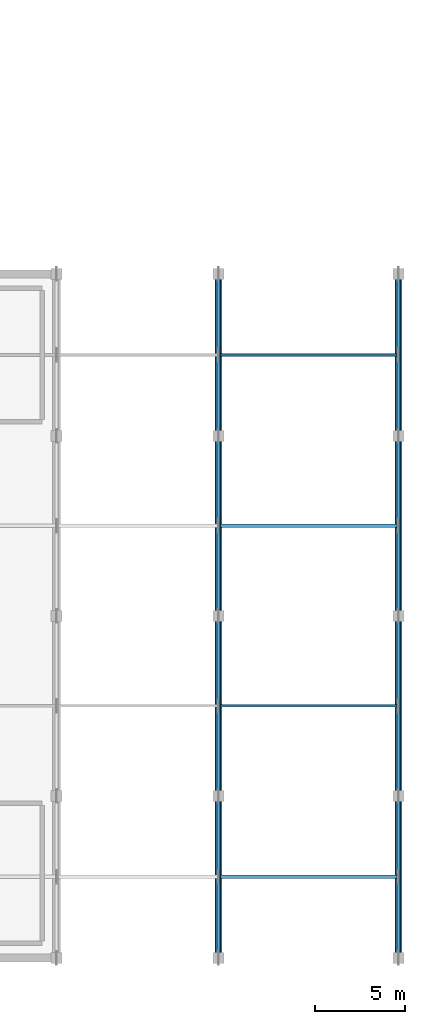
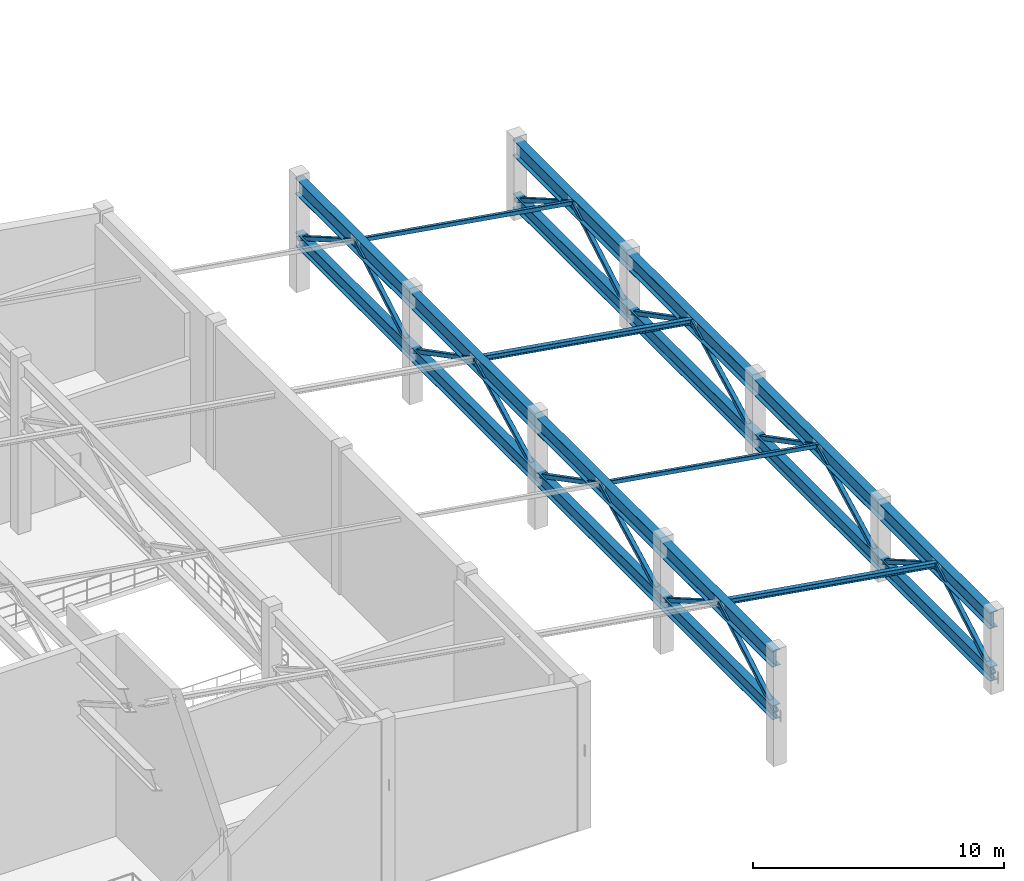
# One storey, part 47 of 68: 20 members, 4 beams.
"""IFC4 building model written with IfcOpenShell, lengths in metres."""

from ifc_helpers import new_model, si_unit, direction, frame, origin, origin_2d, place, context, subcontext, project, spatial, hollow_rectangle, i_section, extrude, material, material_profile, profile_set, type_object, element, save


model = new_model("IFC4")

# Units and contexts
model_context = context("Model", 3, precision=1e-05, world=origin(), true_north=direction((0.0, 1.0)))
body_context = subcontext(model_context, "Body", "Model", "MODEL_VIEW")
ifc_project = project(units=[si_unit("LENGTHUNIT", "METRE"), si_unit("AREAUNIT", "SQUARE_METRE"), si_unit("VOLUMEUNIT", "CUBIC_METRE"), si_unit("PLANEANGLEUNIT", "RADIAN"), si_unit("MASSUNIT", "GRAM", prefix="KILO")], contexts=[model_context])

# Site, building, storey
site_placement = place(None, origin())
site = spatial("IfcSite", under=ifc_project, at=site_placement, CompositionType="ELEMENT")
building_placement = place(site_placement, origin())
building = spatial("IfcBuilding", under=site, at=building_placement, Name="Miravela Opera House", CompositionType="ELEMENT")
storey_placement = place(building_placement, frame((0.0, 0.0, 21.760009765625)))
storey = spatial("IfcBuildingStorey", under=building, at=storey_placement, Name="L05", CompositionType="ELEMENT", Elevation=21.760009765625)

# Beams
ifc_material_1 = material(Name="Structural steel ASTM A992 Gr. 50", Category="steel")
ifc_material_profile_1 = material_profile(ifc_material_1, i_section(OverallWidth=0.35498046875, OverallDepth=0.695068359375, WebThickness=0.015380859375, FlangeThickness=0.02490234375, FilletRadius=0.02001953125, at=origin_2d()), Name="W690X217")
ifc_profile_set_1 = profile_set([ifc_material_profile_1])
beam_type_1 = type_object("IfcBeamType", Name="STR-BM-W690X217", PredefinedType="BEAM", material=ifc_profile_set_1)
for number, where, z_axis, x_axis, name in (
    (1, (144.0, 37.0, 2.396484375), (0.0, 1.0, 0.0), (-1.0, 0.0, 0.0), "Fly Tower Wedge Roof Truss Bottom Chord X=144"),
    (2, (154.0, 37.0, 0.760009765625), (0.0, 1.0, 0.0), (-1.0, 0.0, 0.0), "Fly Tower Wedge Roof Truss Bottom Chord X=154"),
):
    element("IfcBeam", number, at=place(storey_placement, frame(where, z_axis=z_axis, x_axis=x_axis)), inside=storey, type_object=beam_type_1, Name=name, PredefinedType="BEAM", context=body_context, shape_type="SweptSolid", body=[
        extrude(i_section(OverallWidth=0.35498046875, OverallDepth=0.695068359375, WebThickness=0.015380859375, FlangeThickness=0.02490234375, FilletRadius=0.02001953125, at=origin_2d()), origin(), (0.0, 0.0, 1.0), 38.0),
    ])
ifc_material_profile_2 = material_profile(ifc_material_1, i_section(OverallWidth=0.381103515625, OverallDepth=0.77294921875, WebThickness=0.0166015625, FlangeThickness=0.027099609375, FilletRadius=0.02197265625, at=origin_2d()), Name="W760X257")
ifc_profile_set_2 = profile_set([ifc_material_profile_2])
beam_type_2 = type_object("IfcBeamType", Name="STR-BM-W760X257", PredefinedType="BEAM", material=ifc_profile_set_2)
for number, where, z_axis, x_axis, name in (
    (3, (144.0, 37.0, 4.996337890625), (0.0, 1.0, 0.0), (-1.0, 0.0, 0.0), "Fly Tower Wedge Roof Truss Top Chord X=144"),
    (4, (154.0, 37.0, 3.360107421875), (0.0, 1.0, 0.0), (-1.0, 0.0, 0.0), "Fly Tower Wedge Roof Truss Top Chord X=154"),
):
    element("IfcBeam", number, at=place(storey_placement, frame(where, z_axis=z_axis, x_axis=x_axis)), inside=storey, type_object=beam_type_2, Name=name, PredefinedType="BEAM", context=body_context, shape_type="SweptSolid", body=[
        extrude(i_section(OverallWidth=0.381103515625, OverallDepth=0.77294921875, WebThickness=0.0166015625, FlangeThickness=0.027099609375, FilletRadius=0.02197265625, at=origin_2d()), origin(), (0.0, 0.0, 1.0), 38.0),
    ])

# Members
ifc_material_profile_3 = material_profile(ifc_material_1, i_section(OverallWidth=0.201904296875, OverallDepth=0.2470703125, WebThickness=0.00732421875, FlangeThickness=0.010986328125, FilletRadius=0.011962890625, at=origin_2d()), Name="W250X49")
ifc_profile_set_3 = profile_set([ifc_material_profile_3])
member_type_1 = type_object("IfcMemberType", Name="STR-MEM-PURLIN-2", PredefinedType="PURLIN", material=ifc_profile_set_3)
for number, where, z_axis, x_axis, name in (
    (5, (144.0, 41.5, 4.996337890625), (0.986876677242, 0.0, -0.16147576882), (0.0, 1.0, 0.0), "Wedge Roof Steel Purlin 6.1"),
    (6, (144.0, 61.0, 4.996337890625), (0.986876677242, 0.0, -0.16147576882), (0.0, 1.0, 0.0), "Wedge Roof Steel Purlin 6.3"),
):
    element("IfcMember", number, at=place(storey_placement, frame(where, z_axis=z_axis, x_axis=x_axis)), inside=storey, type_object=member_type_1, Name=name, PredefinedType="PURLIN", context=body_context, shape_type="SweptSolid", body=[
        extrude(i_section(OverallWidth=0.201904296875, OverallDepth=0.2470703125, WebThickness=0.00732421875, FlangeThickness=0.010986328125, FilletRadius=0.011962890625, at=origin_2d()), origin(), (0.0, 0.0, 1.0), 10.133056640625),
    ])
ifc_material_2 = material(Name="Hollow structural steel ASTM A500 Gr. C", Category="steel")
ifc_material_profile_4 = material_profile(ifc_material_2, hollow_rectangle(XDim=0.14990234375, YDim=0.199951171875, WallThickness=0.010009765625, InnerFilletRadius=0.010009765625, OuterFilletRadius=0.02001953125, at=origin_2d()), Name="HSS200X150X10")
ifc_profile_set_4 = profile_set([ifc_material_profile_4])
member_type_2 = type_object("IfcMemberType", Name="STR-MEM-PURLIN-HSS200X150", PredefinedType="PURLIN", material=ifc_profile_set_4)
for number, where, z_axis, x_axis, name in (
    (7, (144.0, 51.0, 4.996337890625), (0.986876677242, 0.0, -0.16147576882), (0.0, 1.0, 0.0), "Wedge Roof Steel Purlin 6.2"),
    (8, (144.0, 70.5, 4.996337890625), (0.986876677242, 0.0, -0.16147576882), (0.0, 1.0, 0.0), "Wedge Roof Steel Purlin 6.4"),
):
    element("IfcMember", number, at=place(storey_placement, frame(where, z_axis=z_axis, x_axis=x_axis)), inside=storey, type_object=member_type_2, Name=name, PredefinedType="PURLIN", context=body_context, shape_type="SweptSolid", body=[
        extrude(hollow_rectangle(XDim=0.14990234375, YDim=0.199951171875, WallThickness=0.010009765625, InnerFilletRadius=0.010009765625, OuterFilletRadius=0.02001953125, at=origin_2d()), origin(), (0.0, 0.0, 1.0), 10.133056640625),
    ])
ifc_material_profile_5 = material_profile(ifc_material_2, hollow_rectangle(XDim=0.199951171875, YDim=0.199951171875, WallThickness=0.010009765625, InnerFilletRadius=0.010009765625, OuterFilletRadius=0.02001953125, at=origin_2d()), Name="HSS200X200X10")
ifc_profile_set_5 = profile_set([ifc_material_profile_5])
member_type_3 = type_object("IfcMemberType", Name="STR-MEM-WEDGE-WEB", PredefinedType="BRACE", material=ifc_profile_set_5)
for number, where, z_axis, x_axis, name in (
    (9, (144.0, 37.0, 2.396484375), (0.0, 0.865877282445, 0.50025646597), (-1.0, 0.0, 0.0), "Wedge Truss Web Diagonal X=144-1"),
    (10, (144.0, 41.5, 4.996337890625), (0.0, 0.865877282445, -0.50025646597), (-1.0, 0.0, 0.0), "Wedge Truss Web Diagonal X=144-2"),
):
    element("IfcMember", number, at=place(storey_placement, frame(where, z_axis=z_axis, x_axis=x_axis)), inside=storey, type_object=member_type_3, Name=name, PredefinedType="BRACE", context=body_context, shape_type="SweptSolid", body=[
        extrude(hollow_rectangle(XDim=0.199951171875, YDim=0.199951171875, WallThickness=0.010009765625, InnerFilletRadius=0.010009765625, OuterFilletRadius=0.02001953125, at=origin_2d()), origin(), (0.0, 0.0, 1.0), 5.197021484375),
    ])
for number, where, z_axis, x_axis, name in (
    (11, (144.0, 46.0, 2.396484375), (0.0, 0.887227440447, 0.461332276041), (-1.0, 0.0, 0.0), "Wedge Truss Web Diagonal X=144-3"),
    (12, (144.0, 51.0, 4.996337890625), (0.0, 0.887227440447, -0.461332276041), (-1.0, 0.0, 0.0), "Wedge Truss Web Diagonal X=144-4"),
    (13, (144.0, 56.0, 2.396484375), (0.0, 0.887227440447, 0.461332276041), (-1.0, 0.0, 0.0), "Wedge Truss Web Diagonal X=144-5"),
    (14, (144.0, 61.0, 4.996337890625), (0.0, 0.887227440447, -0.461332276041), (-1.0, 0.0, 0.0), "Wedge Truss Web Diagonal X=144-6"),
):
    element("IfcMember", number, at=place(storey_placement, frame(where, z_axis=z_axis, x_axis=x_axis)), inside=storey, type_object=member_type_3, Name=name, PredefinedType="BRACE", context=body_context, shape_type="SweptSolid", body=[
        extrude(hollow_rectangle(XDim=0.199951171875, YDim=0.199951171875, WallThickness=0.010009765625, InnerFilletRadius=0.010009765625, OuterFilletRadius=0.02001953125, at=origin_2d()), origin(), (0.0, 0.0, 1.0), 5.635498046875),
    ])
for number, where, z_axis, x_axis, name in (
    (15, (144.0, 66.0, 2.396484375), (0.0, 0.865877282445, 0.50025646597), (-1.0, 0.0, 0.0), "Wedge Truss Web Diagonal X=144-7"),
    (16, (144.0, 70.5, 4.996337890625), (0.0, 0.865877282445, -0.50025646597), (-1.0, 0.0, 0.0), "Wedge Truss Web Diagonal X=144-8"),
):
    element("IfcMember", number, at=place(storey_placement, frame(where, z_axis=z_axis, x_axis=x_axis)), inside=storey, type_object=member_type_3, Name=name, PredefinedType="BRACE", context=body_context, shape_type="SweptSolid", body=[
        extrude(hollow_rectangle(XDim=0.199951171875, YDim=0.199951171875, WallThickness=0.010009765625, InnerFilletRadius=0.010009765625, OuterFilletRadius=0.02001953125, at=origin_2d()), origin(), (0.0, 0.0, 1.0), 5.197021484375),
    ])
for number, where, z_axis, x_axis, name in (
    (17, (154.0, 37.0, 0.760009765625), (0.0, 0.865856933682, 0.500291685314), (-1.0, 0.0, 0.0), "Wedge Truss Web Diagonal X=154-1"),
    (18, (154.0, 41.5, 3.360107421875), (0.0, 0.865856933682, -0.500291685314), (-1.0, 0.0, 0.0), "Wedge Truss Web Diagonal X=154-2"),
):
    element("IfcMember", number, at=place(storey_placement, frame(where, z_axis=z_axis, x_axis=x_axis)), inside=storey, type_object=member_type_3, Name=name, PredefinedType="BRACE", context=body_context, shape_type="SweptSolid", body=[
        extrude(hollow_rectangle(XDim=0.199951171875, YDim=0.199951171875, WallThickness=0.010009765625, InnerFilletRadius=0.010009765625, OuterFilletRadius=0.02001953125, at=origin_2d()), origin(), (0.0, 0.0, 1.0), 5.197265625),
    ])
for number, where, z_axis, x_axis, name in (
    (19, (154.0, 46.0, 0.760009765625), (0.0, 0.887209708306, 0.461366376634), (-1.0, 0.0, 0.0), "Wedge Truss Web Diagonal X=154-3"),
    (20, (154.0, 51.0, 3.360107421875), (0.0, 0.887209708306, -0.461366376634), (-1.0, 0.0, 0.0), "Wedge Truss Web Diagonal X=154-4"),
    (21, (154.0, 56.0, 0.760009765625), (0.0, 0.887209708306, 0.461366376634), (-1.0, 0.0, 0.0), "Wedge Truss Web Diagonal X=154-5"),
    (22, (154.0, 61.0, 3.360107421875), (0.0, 0.887209708306, -0.461366376634), (-1.0, 0.0, 0.0), "Wedge Truss Web Diagonal X=154-6"),
):
    element("IfcMember", number, at=place(storey_placement, frame(where, z_axis=z_axis, x_axis=x_axis)), inside=storey, type_object=member_type_3, Name=name, PredefinedType="BRACE", context=body_context, shape_type="SweptSolid", body=[
        extrude(hollow_rectangle(XDim=0.199951171875, YDim=0.199951171875, WallThickness=0.010009765625, InnerFilletRadius=0.010009765625, OuterFilletRadius=0.02001953125, at=origin_2d()), origin(), (0.0, 0.0, 1.0), 5.6357421875),
    ])
for number, where, z_axis, x_axis, name in (
    (23, (154.0, 66.0, 0.760009765625), (0.0, 0.865856933682, 0.500291685314), (-1.0, 0.0, 0.0), "Wedge Truss Web Diagonal X=154-7"),
    (24, (154.0, 70.5, 3.360107421875), (0.0, 0.865856933682, -0.500291685314), (-1.0, 0.0, 0.0), "Wedge Truss Web Diagonal X=154-8"),
):
    element("IfcMember", number, at=place(storey_placement, frame(where, z_axis=z_axis, x_axis=x_axis)), inside=storey, type_object=member_type_3, Name=name, PredefinedType="BRACE", context=body_context, shape_type="SweptSolid", body=[
        extrude(hollow_rectangle(XDim=0.199951171875, YDim=0.199951171875, WallThickness=0.010009765625, InnerFilletRadius=0.010009765625, OuterFilletRadius=0.02001953125, at=origin_2d()), origin(), (0.0, 0.0, 1.0), 5.197265625),
    ])

save(model, "model.ifc")
